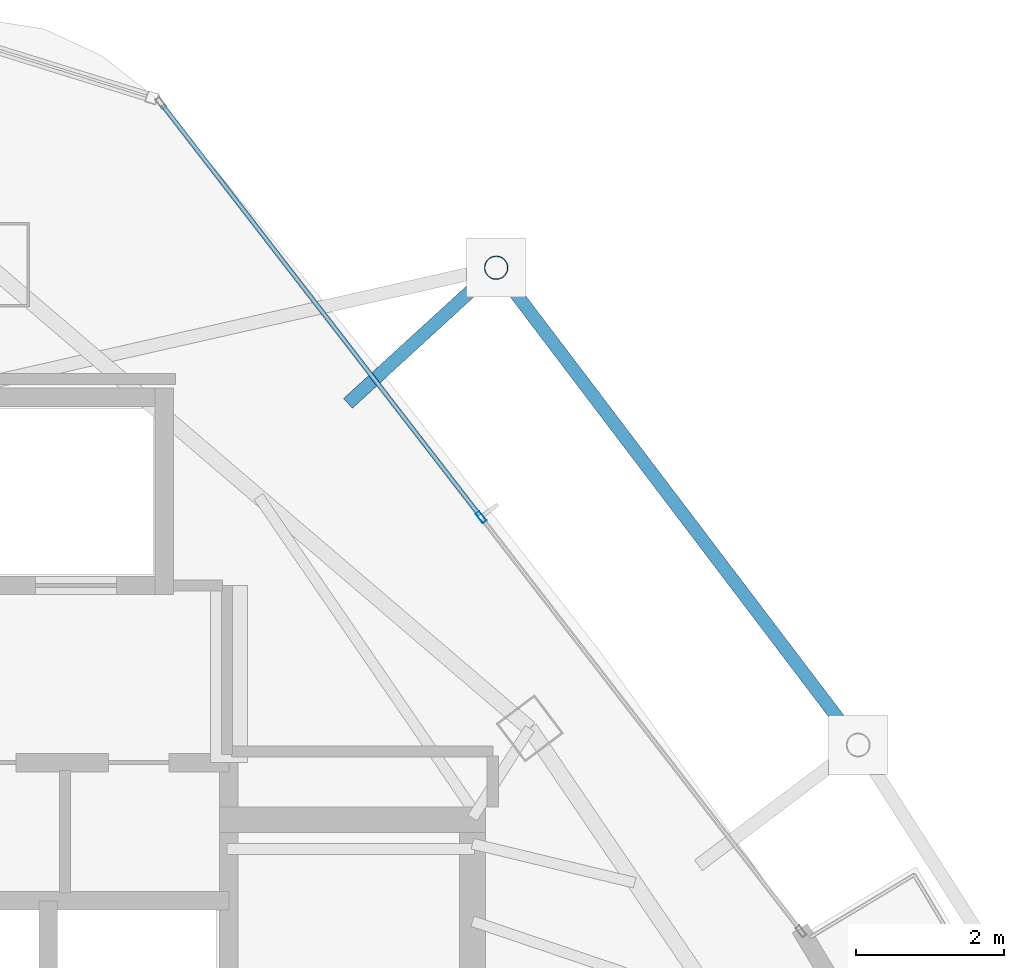
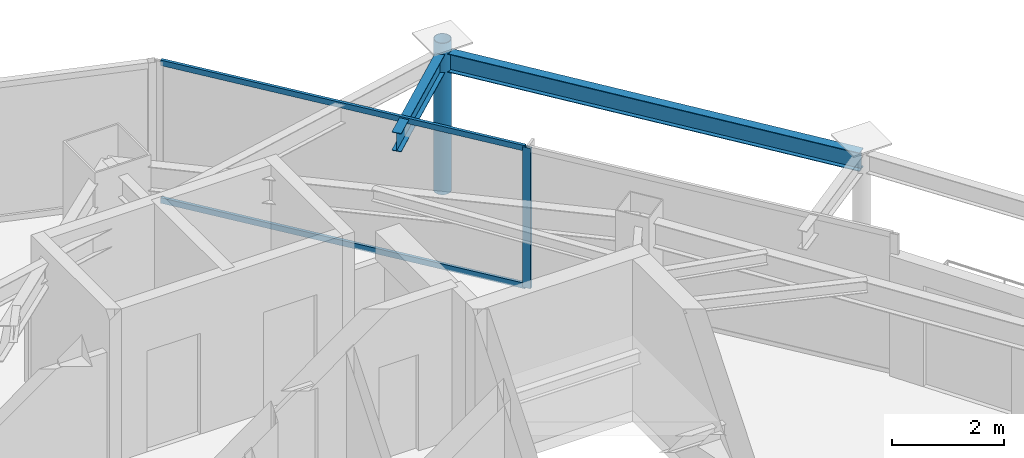
# One storey, part 22 of 28: 4 members, 2 beams, 1 element without a shape of its own.
"""IFC4 building model written with IfcOpenShell, lengths in metres."""

from ifc_helpers import new_model, si_unit, direction, frame, origin, origin_2d, place, context, subcontext, project, spatial, hollow_rectangle, hollow_circle, i_section, extrude, material, layer, layer_set, material_profile, profile_set, type_object, element, aggregate, save


model = new_model("IFC4")

# Units and contexts
model_context = context("Model", 3, precision=1e-05, world=origin(), true_north=direction((0.0, 1.0)))
body_context = subcontext(model_context, "Body", "Model", "MODEL_VIEW")
ifc_project = project(units=[si_unit("LENGTHUNIT", "METRE"), si_unit("AREAUNIT", "SQUARE_METRE"), si_unit("VOLUMEUNIT", "CUBIC_METRE"), si_unit("PLANEANGLEUNIT", "RADIAN"), si_unit("MASSUNIT", "GRAM", prefix="KILO")], contexts=[model_context])

# Site, building, storey
site_placement = place(None, origin())
site = spatial("IfcSite", under=ifc_project, at=site_placement, CompositionType="ELEMENT")
building_placement = place(site_placement, origin())
building = spatial("IfcBuilding", under=site, at=building_placement, Name="Orvanel Arch Residences", CompositionType="ELEMENT")
storey_placement = place(building_placement, frame((0.0, 0.0, 266.75)))
storey = spatial("IfcBuildingStorey", under=building, at=storey_placement, Name="L76", CompositionType="ELEMENT", Elevation=266.75)

# Curtain wall, member
ifc_material_1 = material(Name="Bronze-anodised aluminium AA6063-T6", Category="aluminium")
ifc_layer = layer(ifc_material_1, 0.175048828125)
ifc_layer_set = layer_set([ifc_layer], Name="Bronze-anodised aluminium AA6063-T6")
curtain_wall_type = type_object("IfcCurtainWallType", Name="CW4-HI-SYS", PredefinedType="NOTDEFINED", material=ifc_layer_set)
curtain_wall_placement = place(storey_placement, origin())
curtain_wall = element("IfcCurtainWall", 1, at=curtain_wall_placement, inside=storey, type_object=curtain_wall_type, Name="L76 CW4-HI-SYS Unitised Curtain Wall", PredefinedType="NOTDEFINED")
ifc_material_profile_1 = material_profile(ifc_material_1, hollow_rectangle(XDim=0.06494140625, YDim=0.159912109375, WallThickness=0.00390625, at=origin_2d()), Name="ALU160x65x4")
ifc_profile_set_1 = profile_set([ifc_material_profile_1], Name="Bronze-anodised aluminium AA6063-T6")
member_type_1 = type_object("IfcMemberType", Name="MUL-160x65", PredefinedType="MULLION", material=ifc_profile_set_1)
member_1_placement = place(storey_placement, frame((39.69091796875, 37.97607421875, 0.0), z_axis=(0.0, 0.0, 1.0), x_axis=(-0.791176992709, -0.611587251509, 0.0)))
member_1 = element("IfcMember", 2, at=member_1_placement, type_object=member_type_1, Name="CW-S4 mullion 2", PredefinedType="MULLION", context=body_context, shape_type="SweptSolid", body=[
    extrude(hollow_rectangle(XDim=0.06494140625, YDim=0.159912109375, WallThickness=0.00390625, at=origin_2d()), origin(), (0.0, 0.0, 1.0), 3.06005859375),
])

# Beams
ifc_material_2 = material(Name="Structural steel AS/NZS 3679.1 Grade 300 (300 MPa)", Category="steel")
ifc_material_profile_2 = material_profile(ifc_material_2, i_section(OverallWidth=0.177978515625, OverallDepth=0.406005859375, WebThickness=0.0078125, FlangeThickness=0.0126953125, at=origin_2d()), Name="410UB59.7")
ifc_profile_set_2 = profile_set([ifc_material_profile_2], Name="Structural steel AS/NZS 3679.1 Grade 300 (300 MPa)")
beam_type = type_object("IfcBeamType", Name="OB-410UB-EXT", PredefinedType="SPANDREL", material=ifc_profile_set_2)
beam_1_placement = place(storey_placement, frame((44.802978515625, 34.887939453125, 2.85693359375), z_axis=(-0.604268666107, 0.796780634279, 0.0), x_axis=(-0.796780634279, -0.604268666107, 0.0)))
element("IfcBeam", 3, at=beam_1_placement, inside=storey, type_object=beam_type, Name="L76 Outer Perimeter Floor Ring Beam 11", PredefinedType="SPANDREL", context=body_context, shape_type="SweptSolid", body=[
    extrude(i_section(OverallWidth=0.177978515625, OverallDepth=0.406005859375, WebThickness=0.0078125, FlangeThickness=0.0126953125, at=origin_2d()), origin(), (0.0, 0.0, 1.0), 8.118896484375),
])
beam_2_placement = place(storey_placement, frame((37.887939453125, 39.51806640625, 2.85693359375), z_axis=(0.737656264705, 0.675176447413, 0.0), x_axis=(-0.675176447413, 0.737656264705, 0.0)))
element("IfcBeam", 4, at=beam_2_placement, inside=storey, type_object=beam_type, Name="L76 Outer Frame Radial Tie Beam 12", PredefinedType="SPANDREL", context=body_context, shape_type="SweptSolid", body=[
    extrude(i_section(OverallWidth=0.177978515625, OverallDepth=0.406005859375, WebThickness=0.0078125, FlangeThickness=0.0126953125, at=origin_2d()), origin(), (0.0, 0.0, 1.0), 2.7236328125),
])

# Member
ifc_material_3 = material(Name="Structural steel AS/NZS 1163 C350L0 (Grade 350)", Category="steel")
ifc_material_profile_3 = material_profile(ifc_material_3, hollow_circle(Radius=0.162109375, WallThickness=0.0126953125, at=origin_2d()), Name="CHS324x12.7")
ifc_profile_set_3 = profile_set([ifc_material_profile_3], Name="Structural steel AS/NZS 1163 C350L0 (Grade 350)")
member_type_2 = type_object("IfcMemberType", Name="ST-324CHS-EXT", PredefinedType="STRUT", material=ifc_profile_set_3)
member_2_placement = place(storey_placement, frame((39.89697265625, 41.35693359375, 0.0), z_axis=(0.0, 0.0, 1.0), x_axis=(1.0, 0.0, 0.0)))
element("IfcMember", 5, at=member_2_placement, inside=storey, type_object=member_type_2, Name="L76 Outer Perimeter Frame Post 12", PredefinedType="STRUT", context=body_context, shape_type="SweptSolid", body=[
    extrude(hollow_circle(Radius=0.162109375, WallThickness=0.0126953125, at=origin_2d()), origin(), (0.0, 0.0, 1.0), 3.300048828125),
])

ifc_material_profile_4 = material_profile(ifc_material_1, hollow_rectangle(XDim=0.06005859375, YDim=0.1201171875, WallThickness=0.00341796875, at=origin_2d()), Name="ALU120x60x3.5")
ifc_profile_set_4 = profile_set([ifc_material_profile_4], Name="Bronze-anodised aluminium AA6063-T6")
member_type_3 = type_object("IfcMemberType", Name="TRN-120x60", PredefinedType="USERDEFINED", material=ifc_profile_set_4)
member_3_placement = place(storey_placement, frame((39.671142578125, 38.001708984375, 0.030029296875), z_axis=(-0.611588835985, 0.791175767892, 0.0), x_axis=(-0.791175767892, -0.611588835985, 0.0)))
member_3 = element("IfcMember", 6, at=member_3_placement, type_object=member_type_3, Name="CW-S4 transom 2.1", ObjectType="TRANSOM", PredefinedType="USERDEFINED", context=body_context, shape_type="SweptSolid", body=[
    extrude(hollow_rectangle(XDim=0.06005859375, YDim=0.1201171875, WallThickness=0.00341796875, at=origin_2d()), origin(), (0.0, 0.0, 1.0), 7.02978515625),
])

member_4_placement = place(storey_placement, frame((39.671142578125, 38.001708984375, 3.030029296875), z_axis=(-0.611588835985, 0.791175767892, 0.0), x_axis=(-0.791175767892, -0.611588835985, 0.0)))
member_4 = element("IfcMember", 7, at=member_4_placement, type_object=member_type_3, Name="CW-S4 transom 2.2", ObjectType="TRANSOM", PredefinedType="USERDEFINED", context=body_context, shape_type="SweptSolid", body=[
    extrude(hollow_rectangle(XDim=0.06005859375, YDim=0.1201171875, WallThickness=0.00341796875, at=origin_2d()), origin(), (0.0, 0.0, 1.0), 7.02978515625),
])

aggregate(curtain_wall, [member_1, member_3, member_4])

save(model, "model.ifc")
